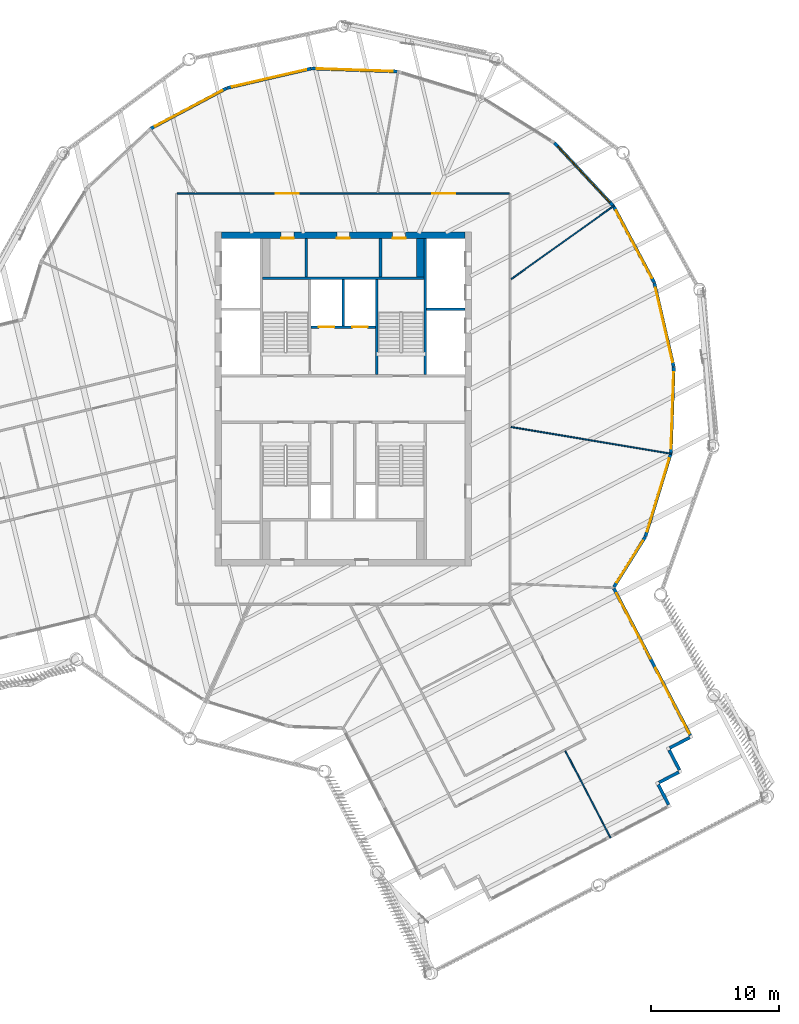
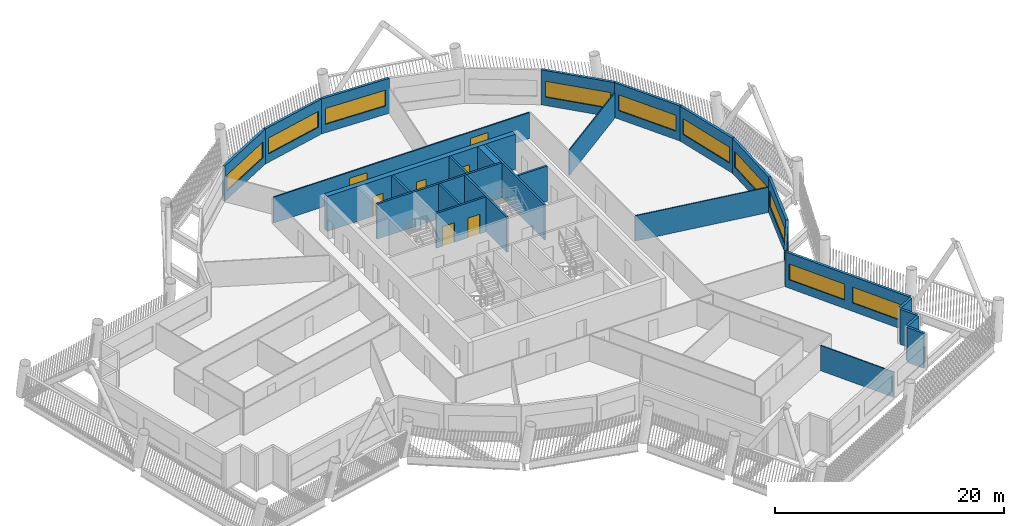
# One storey, part 6 of 22: 28 walls, 11 windows, 7 doors, 18 openings.
"""IFC4 building model written with IfcOpenShell, lengths in metres."""

from ifc_helpers import new_model, si_unit, direction, frame, frame_2d, origin, place, context, subcontext, project, spatial, rectangle, extrude, material, layer, layer_set, type_object, element, fill, save


model = new_model("IFC4")

# Units and contexts
model_context = context("Model", 3, precision=1e-05, world=origin(), true_north=direction((0.0, 1.0)))
body_context = subcontext(model_context, "Body", "Model", "MODEL_VIEW")
ifc_project = project(units=[si_unit("LENGTHUNIT", "METRE"), si_unit("AREAUNIT", "SQUARE_METRE"), si_unit("VOLUMEUNIT", "CUBIC_METRE"), si_unit("PLANEANGLEUNIT", "RADIAN"), si_unit("MASSUNIT", "GRAM", prefix="KILO")], contexts=[model_context])

# Site, building, storey
site_placement = place(None, origin())
site = spatial("IfcSite", under=ifc_project, at=site_placement, CompositionType="ELEMENT")
building_placement = place(site_placement, origin())
building = spatial("IfcBuilding", under=site, at=building_placement, Name="Tarsis Ring Headquarters", CompositionType="ELEMENT")
storey_placement = place(building_placement, frame((0.0, 0.0, 339.199951171875)))
storey = spatial("IfcBuildingStorey", under=building, at=storey_placement, Name="L80", CompositionType="ELEMENT", Elevation=339.199951171875)

# Walls
ifc_material_1 = material(Name="Blockwork", Category="masonry")
ifc_layer_1 = layer(ifc_material_1, 0.199951171875)
ifc_layer_set_1 = layer_set([ifc_layer_1], Name="Core blockwork wall 200")
wall_type_1 = type_object("IfcWallType", Name="Core blockwork wall 200", PredefinedType="PARTITIONING", material=ifc_layer_set_1)
for number, where, z_axis, x_axis, name in (
    (1, (-2.89990234375, 9.5, 0.0), (0.0, 0.0, 1.0), (0.0, 1.0, 0.0), "Core partition ND1"),
    (2, (2.89990234375, 9.5, 0.0), (0.0, 0.0, 1.0), (0.0, 1.0, 0.0), "Core partition ND3"),
):
    element("IfcWall", number, at=place(storey_placement, frame(where, z_axis=z_axis, x_axis=x_axis)), inside=storey, type_object=wall_type_1, Name=name, PredefinedType="PARTITIONING", context=body_context, shape_type="SweptSolid", body=[
        extrude(rectangle(XDim=3.0, YDim=0.199951171875, at=frame_2d((1.5, 0.0))), origin(), (0.0, 0.0, 1.0), 3.739990234375),
    ])

# Wall, openings, doors
ifc_material_2 = material(Name="Concrete C50/60", Category="concrete")
ifc_layer_2 = layer(ifc_material_2, 0.5)
ifc_layer_set_2 = layer_set([ifc_layer_2], Name="Core wall 500 C50/60")
wall_type_2 = type_object("IfcWallType", Name="Core wall 500 C50/60", PredefinedType="SHEAR", material=ifc_layer_set_2)
wall_1_placement = place(storey_placement, frame((-9.5, 12.75, 0.0), z_axis=(0.0, 0.0, 1.0), x_axis=(1.0, 0.0, 0.0)))
wall_1 = element("IfcWall", 3, at=wall_1_placement, inside=storey, type_object=wall_type_2, Name="Core wall ON", PredefinedType="SHEAR", context=body_context, shape_type="SweptSolid", body=[
    extrude(rectangle(XDim=19.0, YDim=0.5, at=frame_2d((9.5, 0.0))), origin(), (0.0, 0.0, 1.0), 3.739990234375),
])
opening_1_placement = place(wall_1_placement, frame((4.64990234375, 0.0, 0.0)))
opening_1 = element("IfcOpeningElement", 4, at=opening_1_placement, cuts=wall_1, Name="Opening L80-C14", PredefinedType="OPENING", context=body_context, shape_type="SweptSolid", body=[
    extrude(rectangle(XDim=1.0, YDim=2.10009765625, at=frame_2d((0.5, 1.050048828125))), frame((0.0, 0.260009765625, 0.0), z_axis=(0.0, -1.0, 0.0), x_axis=(1.0, 0.0, 0.0)), (0.0, 0.0, 1.0), 0.52001953125),
])
opening_2_placement = place(wall_1_placement, frame((9.0, 0.0, 0.0)))
opening_2 = element("IfcOpeningElement", 5, at=opening_2_placement, cuts=wall_1, Name="Opening L80-C15", PredefinedType="OPENING", context=body_context, shape_type="SweptSolid", body=[
    extrude(rectangle(XDim=1.0, YDim=2.10009765625, at=frame_2d((0.5, 1.050048828125))), frame((0.0, 0.260009765625, 0.0), z_axis=(0.0, -1.0, 0.0), x_axis=(1.0, 0.0, 0.0)), (0.0, 0.0, 1.0), 0.52001953125),
])
opening_3_placement = place(wall_1_placement, frame((13.35009765625, 0.0, 0.0)))
opening_3 = element("IfcOpeningElement", 6, at=opening_3_placement, cuts=wall_1, Name="Opening L80-C16", PredefinedType="OPENING", context=body_context, shape_type="SweptSolid", body=[
    extrude(rectangle(XDim=1.0, YDim=2.10009765625, at=frame_2d((0.5, 1.050048828125))), frame((0.0, 0.260009765625, 0.0), z_axis=(0.0, -1.0, 0.0), x_axis=(1.0, 0.0, 0.0)), (0.0, 0.0, 1.0), 0.52001953125),
])
ifc_material_3 = material(Name="Steel S355", Category="steel")
door_type_1 = type_object("IfcDoorType", Name="Core room door 1000x2100", OperationType="SINGLE_SWING_LEFT", PredefinedType="DOOR", material=ifc_material_3)
door_1_placement = place(opening_1_placement, origin())
door_1 = element("IfcDoor", 7, at=door_1_placement, inside=storey, type_object=door_type_1, Name="Core room door L80", OperationType="SINGLE_SWING_LEFT", OverallHeight=2.10009765625, OverallWidth=1.0, PredefinedType="DOOR", context=body_context, shape_type="SweptSolid", body=[
    extrude(rectangle(XDim=1.0, YDim=2.10009765625, at=frame_2d((0.5, 1.050048828125))), frame((0.0, -0.2001953125, 0.0), z_axis=(0.0, -1.0, 0.0), x_axis=(1.0, 0.0, 0.0)), (0.0, 0.0, 1.0), 0.050048828125),
])
fill(opening_1, door_1)
door_2_placement = place(opening_2_placement, origin())
door_2 = element("IfcDoor", 8, at=door_2_placement, inside=storey, type_object=door_type_1, Name="Core room door L80", OperationType="SINGLE_SWING_LEFT", OverallHeight=2.10009765625, OverallWidth=1.0, PredefinedType="DOOR", context=body_context, shape_type="SweptSolid", body=[
    extrude(rectangle(XDim=1.0, YDim=2.10009765625, at=frame_2d((0.5, 1.050048828125))), frame((0.0, -0.2001953125, 0.0), z_axis=(0.0, -1.0, 0.0), x_axis=(1.0, 0.0, 0.0)), (0.0, 0.0, 1.0), 0.050048828125),
])
fill(opening_2, door_2)
door_3_placement = place(opening_3_placement, origin())
door_3 = element("IfcDoor", 9, at=door_3_placement, inside=storey, type_object=door_type_1, Name="Core room door L80", OperationType="SINGLE_SWING_LEFT", OverallHeight=2.10009765625, OverallWidth=1.0, PredefinedType="DOOR", context=body_context, shape_type="SweptSolid", body=[
    extrude(rectangle(XDim=1.0, YDim=2.10009765625, at=frame_2d((0.5, 1.050048828125))), frame((0.0, -0.2001953125, 0.0), z_axis=(0.0, -1.0, 0.0), x_axis=(1.0, 0.0, 0.0)), (0.0, 0.0, 1.0), 0.050048828125),
])
fill(opening_3, door_3)

# Walls
ifc_material_4 = material(Name="Gypsum board on steel studs", Category="steel")
ifc_layer_3 = layer(ifc_material_4, 0.10009765625)
ifc_layer_set_3 = layer_set([ifc_layer_3], Name="FL partition 100 unrated")
wall_type_3 = type_object("IfcWallType", Name="FL partition 100 unrated", PredefinedType="PARTITIONING", material=ifc_layer_set_3)
wall_2_placement = place(storey_placement, frame((13.069091796875, -2.182373046875, 0.0), z_axis=(0.0, 0.0, 1.0), x_axis=(0.986343992205, -0.164698297022, 0.0)))
element("IfcWall", 10, at=wall_2_placement, inside=storey, type_object=wall_type_3, Name="Partition PW3", PredefinedType="PARTITIONING", context=body_context, shape_type="SweptSolid", body=[
    extrude(rectangle(XDim=12.69775390625, YDim=0.10009765625, at=frame_2d((6.348876953125, 0.0))), origin(), (0.0, 0.0, 1.0), 2.699951171875),
])
wall_3_placement = place(storey_placement, frame((13.081298828125, 9.337890625, 0.0), z_axis=(0.0, 0.0, 1.0), x_axis=(0.813922178326, 0.580973913037, 0.0)))
element("IfcWall", 11, at=wall_3_placement, inside=storey, type_object=wall_type_3, Name="Partition PW3", PredefinedType="PARTITIONING", context=body_context, shape_type="SweptSolid", body=[
    extrude(rectangle(XDim=9.875732421875, YDim=0.10009765625, at=frame_2d((4.93798828125, 0.0))), origin(), (0.0, 0.0, 1.0), 2.699951171875),
])
wall_4_placement = place(storey_placement, frame((17.297119140625, -27.42041015625, 0.0), z_axis=(0.0, 0.0, 1.0), x_axis=(0.462055911662, -0.886850796075, 0.0)))
element("IfcWall", 12, at=wall_4_placement, inside=storey, type_object=wall_type_3, Name="Partition PW3", PredefinedType="PARTITIONING", context=body_context, shape_type="SweptSolid", body=[
    extrude(rectangle(XDim=7.639892578125, YDim=0.10009765625, at=frame_2d((3.81982421875, 0.0))), origin(), (0.0, 0.0, 1.0), 2.699951171875),
])

# Wall, openings, doors
ifc_layer_4 = layer(ifc_material_4, 0.125)
ifc_layer_set_4 = layer_set([ifc_layer_4], Name="FL partition 125 EI 60 H2770")
wall_type_4 = type_object("IfcWallType", Name="FL partition 125 EI 60 H2770", PredefinedType="PARTITIONING", material=ifc_layer_set_4)
wall_5_placement = place(storey_placement, frame((-12.93994140625, 16.0, 0.0), z_axis=(0.0, 0.0, 1.0), x_axis=(1.0, 0.0, 0.0)))
wall_5 = element("IfcWall", 13, at=wall_5_placement, inside=storey, type_object=wall_type_4, Name="Partition PW1", PredefinedType="PARTITIONING", context=body_context, shape_type="SweptSolid", body=[
    extrude(rectangle(XDim=25.8798828125, YDim=0.125, at=frame_2d((12.93994140625, 0.0))), origin(), (0.0, 0.0, 1.0), 2.77001953125),
])
opening_4_placement = place(wall_5_placement, frame((7.665283203125, 0.0, 0.0)))
opening_4 = element("IfcOpeningElement", 14, at=opening_4_placement, cuts=wall_5, Name="Opening D80.05", PredefinedType="OPENING", context=body_context, shape_type="SweptSolid", body=[
    extrude(rectangle(XDim=1.800048828125, YDim=2.10009765625, at=frame_2d((0.89990234375, 1.050048828125))), frame((0.0, 0.072509765625, 0.0), z_axis=(0.0, -1.0, 0.0), x_axis=(1.0, 0.0, 0.0)), (0.0, 0.0, 1.0), 0.14501953125),
])
opening_5_placement = place(wall_5_placement, frame((19.8759765625, 0.0, 0.0)))
opening_5 = element("IfcOpeningElement", 15, at=opening_5_placement, cuts=wall_5, Name="Opening D80.06", PredefinedType="OPENING", context=body_context, shape_type="SweptSolid", body=[
    extrude(rectangle(XDim=1.800048828125, YDim=2.10009765625, at=frame_2d((0.89990234375, 1.050048828125))), frame((0.0, 0.072509765625, 0.0), z_axis=(0.0, -1.0, 0.0), x_axis=(1.0, 0.0, 0.0)), (0.0, 0.0, 1.0), 0.14501953125),
])
ifc_material_5 = material(Name="Fire-rated timber door leaf in steel frame", Category="steel")
door_type_2 = type_object("IfcDoorType", Name="FL door FD60-1800", OperationType="DOUBLE_DOOR_SINGLE_SWING", PredefinedType="DOOR", material=ifc_material_5)
door_4_placement = place(opening_4_placement, origin())
door_4 = element("IfcDoor", 16, at=door_4_placement, inside=storey, type_object=door_type_2, Name="Door D80.05", OperationType="DOUBLE_DOOR_SINGLE_SWING", OverallHeight=2.10009765625, OverallWidth=1.800048828125, PredefinedType="DOOR", context=body_context, shape_type="SweptSolid", body=[
    extrude(rectangle(XDim=1.800048828125, YDim=2.10009765625, at=frame_2d((0.89990234375, 1.050048828125))), frame((0.0, 0.02490234375, 0.0), z_axis=(0.0, -1.0, 0.0), x_axis=(1.0, 0.0, 0.0)), (0.0, 0.0, 1.0), 0.050048828125),
])
fill(opening_4, door_4)
door_5_placement = place(opening_5_placement, origin())
door_5 = element("IfcDoor", 17, at=door_5_placement, inside=storey, type_object=door_type_2, Name="Door D80.06", OperationType="DOUBLE_DOOR_SINGLE_SWING", OverallHeight=2.10009765625, OverallWidth=1.800048828125, PredefinedType="DOOR", context=body_context, shape_type="SweptSolid", body=[
    extrude(rectangle(XDim=1.800048828125, YDim=2.10009765625, at=frame_2d((0.89990234375, 1.050048828125))), frame((0.0, 0.02490234375, 0.0), z_axis=(0.0, -1.0, 0.0), x_axis=(1.0, 0.0, 0.0)), (0.0, 0.0, 1.0), 0.050048828125),
])
fill(opening_5, door_5)

# Walls
ifc_material_6 = material(Name="Terracotta clad insulated panel wall", Category="masonry")
ifc_layer_5 = layer(ifc_material_6, 0.25)
ifc_layer_set_5 = layer_set([ifc_layer_5], Name="Facade wall terracotta panel 250")
wall_type_5 = type_object("IfcWallType", Name="Facade wall terracotta panel 250", PredefinedType="STANDARD", material=ifc_layer_set_5)
for number, where, z_axis, x_axis, name in (
    (18, (25.350830078125, -31.613525390625, 0.0), (0.0, 0.0, 1.0), (-0.46205101299, 0.886853348302, 0.0), "External wall L80-12"),
    (19, (24.59521484375, -29.89306640625, 0.0), (0.0, 0.0, 1.0), (0.886853348302, 0.46205101299, 0.0), "External wall L80-13"),
    (20, (26.200439453125, -28.915771484375, 0.0), (0.0, 0.0, 1.0), (-0.46205101299, 0.886853348302, 0.0), "External wall L80-14"),
    (21, (25.44482421875, -27.195068359375, 0.0), (0.0, 0.0, 1.0), (0.886853348302, 0.46205101299, 0.0), "External wall L80-15"),
):
    element("IfcWall", number, at=place(storey_placement, frame(where, z_axis=z_axis, x_axis=x_axis)), inside=storey, type_object=wall_type_5, Name=name, PredefinedType="STANDARD", context=body_context, shape_type="SweptSolid", body=[
        extrude(rectangle(XDim=1.75, YDim=0.25, at=frame_2d((0.875, 0.0))), origin(), (0.0, 0.0, 1.0), 3.739990234375),
    ])

# Wall, openings, windows
wall_6_placement = place(storey_placement, frame((27.0498046875, -26.218017578125, 0.0), z_axis=(0.0, 0.0, 1.0), x_axis=(-0.462040786158, 0.886858676412, 0.0)))
wall_6 = element("IfcWall", 22, at=wall_6_placement, inside=storey, type_object=wall_type_5, Name="External wall L80-16", PredefinedType="STANDARD", context=body_context, shape_type="SweptSolid", body=[
    extrude(rectangle(XDim=12.9013671875, YDim=0.25, at=frame_2d((6.45068359375, 0.0))), origin(), (0.0, 0.0, 1.0), 3.739990234375),
])
opening_6_placement = place(wall_6_placement, frame((0.162841796875, 0.0, 0.89990234375)))
opening_6 = element("IfcOpeningElement", 23, at=opening_6_placement, cuts=wall_6, Name="Opening WN06", PredefinedType="OPENING", context=body_context, shape_type="SweptSolid", body=[
    extrude(rectangle(XDim=5.75, YDim=1.699951171875, at=frame_2d((2.875, 0.85009765625))), frame((0.0, 0.135009765625, 0.0), z_axis=(0.0, -1.0, 0.0), x_axis=(1.0, 0.0, 0.0)), (0.0, 0.0, 1.0), 0.27001953125),
])
opening_7_placement = place(wall_6_placement, frame((6.738525390625, 0.0, 0.89990234375)))
opening_7 = element("IfcOpeningElement", 24, at=opening_7_placement, cuts=wall_6, Name="Opening WN06", PredefinedType="OPENING", context=body_context, shape_type="SweptSolid", body=[
    extrude(rectangle(XDim=5.75, YDim=1.699951171875, at=frame_2d((2.875, 0.85009765625))), frame((0.0, 0.135009765625, 0.0), z_axis=(0.0, -1.0, 0.0), x_axis=(1.0, 0.0, 0.0)), (0.0, 0.0, 1.0), 0.27001953125),
])
ifc_material_7 = material(Name="Aluminium framed double glazing", Category="aluminium")
window_type_1 = type_object("IfcWindowType", Name="Facade window 5750 x 1700", PartitioningType="SINGLE_PANEL", PredefinedType="WINDOW", material=ifc_material_7)
window_1_placement = place(opening_6_placement, origin())
window_1 = element("IfcWindow", 25, at=window_1_placement, inside=storey, type_object=window_type_1, Name="Window L80-16.1", OverallHeight=1.699951171875, OverallWidth=5.75, PartitioningType="SINGLE_PANEL", PredefinedType="WINDOW", context=body_context, shape_type="SweptSolid", body=[
    extrude(rectangle(XDim=5.75, YDim=1.699951171875, at=frame_2d((2.875, 0.85009765625))), frame((0.0, 0.030029296875, 0.0), z_axis=(0.0, -1.0, 0.0), x_axis=(1.0, 0.0, 0.0)), (0.0, 0.0, 1.0), 0.06005859375),
])
fill(opening_6, window_1)
window_2_placement = place(opening_7_placement, origin())
window_2 = element("IfcWindow", 26, at=window_2_placement, inside=storey, type_object=window_type_1, Name="Window L80-16.2", OverallHeight=1.699951171875, OverallWidth=5.75, PartitioningType="SINGLE_PANEL", PredefinedType="WINDOW", context=body_context, shape_type="SweptSolid", body=[
    extrude(rectangle(XDim=5.75, YDim=1.699951171875, at=frame_2d((2.875, 0.85009765625))), frame((0.0, 0.030029296875, 0.0), z_axis=(0.0, -1.0, 0.0), x_axis=(1.0, 0.0, 0.0)), (0.0, 0.0, 1.0), 0.06005859375),
])
fill(opening_7, window_2)

# Wall, opening, window
wall_7_placement = place(storey_placement, frame((21.093505859375, -14.65234375, 0.0), z_axis=(0.0, 0.0, 1.0), x_axis=(0.529661474266, 0.848209126736, 0.0)))
wall_7 = element("IfcWall", 27, at=wall_7_placement, inside=storey, type_object=wall_type_5, Name="External wall L80-17", PredefinedType="STANDARD", context=body_context, shape_type="SweptSolid", body=[
    extrude(rectangle(XDim=4.61767578125, YDim=0.25, at=frame_2d((2.308837890625, 0.0))), origin(), (0.0, 0.0, 1.0), 3.739990234375),
])
opening_8_placement = place(wall_7_placement, frame((0.400390625, 0.0, 0.89990234375)))
opening_8 = element("IfcOpeningElement", 28, at=opening_8_placement, cuts=wall_7, Name="Opening WN02", PredefinedType="OPENING", context=body_context, shape_type="SweptSolid", body=[
    extrude(rectangle(XDim=3.85009765625, YDim=1.699951171875, at=frame_2d((1.925048828125, 0.85009765625))), frame((0.0, 0.135009765625, 0.0), z_axis=(0.0, -1.0, 0.0), x_axis=(1.0, 0.0, 0.0)), (0.0, 0.0, 1.0), 0.27001953125),
])
window_type_2 = type_object("IfcWindowType", Name="Facade window 3850 x 1700", PartitioningType="SINGLE_PANEL", PredefinedType="WINDOW", material=ifc_material_7)
window_3_placement = place(opening_8_placement, origin())
window_3 = element("IfcWindow", 29, at=window_3_placement, inside=storey, type_object=window_type_2, Name="Window L80-17.1", OverallHeight=1.699951171875, OverallWidth=3.85009765625, PartitioningType="SINGLE_PANEL", PredefinedType="WINDOW", context=body_context, shape_type="SweptSolid", body=[
    extrude(rectangle(XDim=3.85009765625, YDim=1.699951171875, at=frame_2d((1.925048828125, 0.85009765625))), frame((0.0, 0.030029296875, 0.0), z_axis=(0.0, -1.0, 0.0), x_axis=(1.0, 0.0, 0.0)), (0.0, 0.0, 1.0), 0.06005859375),
])
fill(opening_8, window_3)

wall_8_placement = place(storey_placement, frame((23.552734375, -10.705810546875, 0.0), z_axis=(0.0, 0.0, 1.0), x_axis=(0.292066271155, 0.956398083046, 0.0)))
wall_8 = element("IfcWall", 30, at=wall_8_placement, inside=storey, type_object=wall_type_5, Name="External wall L80-18", PredefinedType="STANDARD", context=body_context, shape_type="SweptSolid", body=[
    extrude(rectangle(XDim=6.721435546875, YDim=0.25, at=frame_2d((3.36083984375, 0.0))), origin(), (0.0, 0.0, 1.0), 3.739990234375),
])
opening_9_placement = place(wall_8_placement, frame((0.3857421875, 0.0, 0.89990234375)))
opening_9 = element("IfcOpeningElement", 31, at=opening_9_placement, cuts=wall_8, Name="Opening WN07", PredefinedType="OPENING", context=body_context, shape_type="SweptSolid", body=[
    extrude(rectangle(XDim=5.949951171875, YDim=1.699951171875, at=frame_2d((2.97509765625, 0.85009765625))), frame((0.0, 0.135009765625, 0.0), z_axis=(0.0, -1.0, 0.0), x_axis=(1.0, 0.0, 0.0)), (0.0, 0.0, 1.0), 0.27001953125),
])
window_type_3 = type_object("IfcWindowType", Name="Facade window 5950 x 1700", PartitioningType="SINGLE_PANEL", PredefinedType="WINDOW", material=ifc_material_7)
window_4_placement = place(opening_9_placement, origin())
window_4 = element("IfcWindow", 32, at=window_4_placement, inside=storey, type_object=window_type_3, Name="Window L80-18.1", OverallHeight=1.699951171875, OverallWidth=5.949951171875, PartitioningType="SINGLE_PANEL", PredefinedType="WINDOW", context=body_context, shape_type="SweptSolid", body=[
    extrude(rectangle(XDim=5.949951171875, YDim=1.699951171875, at=frame_2d((2.97509765625, 0.85009765625))), frame((0.0, 0.030029296875, 0.0), z_axis=(0.0, -1.0, 0.0), x_axis=(1.0, 0.0, 0.0)), (0.0, 0.0, 1.0), 0.06005859375),
])
fill(opening_9, window_4)

wall_9_placement = place(storey_placement, frame((25.521240234375, -4.2451171875, 0.0), z_axis=(0.0, 0.0, 1.0), x_axis=(0.034542339698, 0.99940323532, 0.0)))
wall_9 = element("IfcWall", 33, at=wall_9_placement, inside=storey, type_object=wall_type_5, Name="External wall L80-19", PredefinedType="STANDARD", context=body_context, shape_type="SweptSolid", body=[
    extrude(rectangle(XDim=6.721435546875, YDim=0.25, at=frame_2d((3.36083984375, 0.0))), origin(), (0.0, 0.0, 1.0), 3.739990234375),
])
opening_10_placement = place(wall_9_placement, frame((0.3857421875, 0.0, 0.89990234375)))
opening_10 = element("IfcOpeningElement", 34, at=opening_10_placement, cuts=wall_9, Name="Opening WN07", PredefinedType="OPENING", context=body_context, shape_type="SweptSolid", body=[
    extrude(rectangle(XDim=5.949951171875, YDim=1.699951171875, at=frame_2d((2.97509765625, 0.85009765625))), frame((0.0, 0.135009765625, 0.0), z_axis=(0.0, -1.0, 0.0), x_axis=(1.0, 0.0, 0.0)), (0.0, 0.0, 1.0), 0.27001953125),
])
window_5_placement = place(opening_10_placement, origin())
window_5 = element("IfcWindow", 35, at=window_5_placement, inside=storey, type_object=window_type_3, Name="Window L80-19.1", OverallHeight=1.699951171875, OverallWidth=5.949951171875, PartitioningType="SINGLE_PANEL", PredefinedType="WINDOW", context=body_context, shape_type="SweptSolid", body=[
    extrude(rectangle(XDim=5.949951171875, YDim=1.699951171875, at=frame_2d((2.97509765625, 0.85009765625))), frame((0.0, 0.030029296875, 0.0), z_axis=(0.0, -1.0, 0.0), x_axis=(1.0, 0.0, 0.0)), (0.0, 0.0, 1.0), 0.06005859375),
])
fill(opening_10, window_5)

wall_10_placement = place(storey_placement, frame((25.750244140625, 2.5048828125, 0.0), z_axis=(0.0, 0.0, 1.0), x_axis=(-0.225302483759, 0.974288864153, 0.0)))
wall_10 = element("IfcWall", 36, at=wall_10_placement, inside=storey, type_object=wall_type_5, Name="External wall L80-20", PredefinedType="STANDARD", context=body_context, shape_type="SweptSolid", body=[
    extrude(rectangle(XDim=6.7216796875, YDim=0.25, at=frame_2d((3.36083984375, 0.0))), origin(), (0.0, 0.0, 1.0), 3.739990234375),
])
opening_11_placement = place(wall_10_placement, frame((0.3857421875, 0.0, 0.89990234375)))
opening_11 = element("IfcOpeningElement", 37, at=opening_11_placement, cuts=wall_10, Name="Opening WN07", PredefinedType="OPENING", context=body_context, shape_type="SweptSolid", body=[
    extrude(rectangle(XDim=5.949951171875, YDim=1.699951171875, at=frame_2d((2.97509765625, 0.85009765625))), frame((0.0, 0.135009765625, 0.0), z_axis=(0.0, -1.0, 0.0), x_axis=(1.0, 0.0, 0.0)), (0.0, 0.0, 1.0), 0.27001953125),
])
window_6_placement = place(opening_11_placement, origin())
window_6 = element("IfcWindow", 38, at=window_6_placement, inside=storey, type_object=window_type_3, Name="Window L80-20.1", OverallHeight=1.699951171875, OverallWidth=5.949951171875, PartitioningType="SINGLE_PANEL", PredefinedType="WINDOW", context=body_context, shape_type="SweptSolid", body=[
    extrude(rectangle(XDim=5.949951171875, YDim=1.699951171875, at=frame_2d((2.97509765625, 0.85009765625))), frame((0.0, 0.030029296875, 0.0), z_axis=(0.0, -1.0, 0.0), x_axis=(1.0, 0.0, 0.0)), (0.0, 0.0, 1.0), 0.06005859375),
])
fill(opening_11, window_6)

wall_11_placement = place(storey_placement, frame((24.224365234375, 9.084228515625, 0.0), z_axis=(0.0, 0.0, 1.0), x_axis=(-0.469764166283, 0.882791950618, 0.0)))
wall_11 = element("IfcWall", 39, at=wall_11_placement, inside=storey, type_object=wall_type_5, Name="External wall L80-21", PredefinedType="STANDARD", context=body_context, shape_type="SweptSolid", body=[
    extrude(rectangle(XDim=6.721435546875, YDim=0.25, at=frame_2d((3.36083984375, 0.0))), origin(), (0.0, 0.0, 1.0), 3.739990234375),
])
opening_12_placement = place(wall_11_placement, frame((0.3857421875, 0.0, 0.89990234375)))
opening_12 = element("IfcOpeningElement", 40, at=opening_12_placement, cuts=wall_11, Name="Opening WN07", PredefinedType="OPENING", context=body_context, shape_type="SweptSolid", body=[
    extrude(rectangle(XDim=5.949951171875, YDim=1.699951171875, at=frame_2d((2.97509765625, 0.85009765625))), frame((0.0, 0.135009765625, 0.0), z_axis=(0.0, -1.0, 0.0), x_axis=(1.0, 0.0, 0.0)), (0.0, 0.0, 1.0), 0.27001953125),
])
window_7_placement = place(opening_12_placement, origin())
window_7 = element("IfcWindow", 41, at=window_7_placement, inside=storey, type_object=window_type_3, Name="Window L80-21.1", OverallHeight=1.699951171875, OverallWidth=5.949951171875, PartitioningType="SINGLE_PANEL", PredefinedType="WINDOW", context=body_context, shape_type="SweptSolid", body=[
    extrude(rectangle(XDim=5.949951171875, YDim=1.699951171875, at=frame_2d((2.97509765625, 0.85009765625))), frame((0.0, 0.030029296875, 0.0), z_axis=(0.0, -1.0, 0.0), x_axis=(1.0, 0.0, 0.0)), (0.0, 0.0, 1.0), 0.06005859375),
])
fill(opening_12, window_7)

wall_12_placement = place(storey_placement, frame((21.0478515625, 15.04443359375, 0.0), z_axis=(0.0, 0.0, 1.0), x_axis=(-0.6822393039, 0.73112894363, 0.0)))
wall_12 = element("IfcWall", 42, at=wall_12_placement, inside=storey, type_object=wall_type_5, Name="External wall L80-22", PredefinedType="STANDARD", context=body_context, shape_type="SweptSolid", body=[
    extrude(rectangle(XDim=6.721435546875, YDim=0.25, at=frame_2d((3.36083984375, 0.0))), origin(), (0.0, 0.0, 1.0), 3.739990234375),
])
opening_13_placement = place(wall_12_placement, frame((0.3857421875, 0.0, 0.89990234375)))
opening_13 = element("IfcOpeningElement", 43, at=opening_13_placement, cuts=wall_12, Name="Opening WN07", PredefinedType="OPENING", context=body_context, shape_type="SweptSolid", body=[
    extrude(rectangle(XDim=5.949951171875, YDim=1.699951171875, at=frame_2d((2.97509765625, 0.85009765625))), frame((0.0, 0.135009765625, 0.0), z_axis=(0.0, -1.0, 0.0), x_axis=(1.0, 0.0, 0.0)), (0.0, 0.0, 1.0), 0.27001953125),
])
window_8_placement = place(opening_13_placement, origin())
window_8 = element("IfcWindow", 44, at=window_8_placement, inside=storey, type_object=window_type_3, Name="Window L80-22.1", OverallHeight=1.699951171875, OverallWidth=5.949951171875, PartitioningType="SINGLE_PANEL", PredefinedType="WINDOW", context=body_context, shape_type="SweptSolid", body=[
    extrude(rectangle(XDim=5.949951171875, YDim=1.699951171875, at=frame_2d((2.97509765625, 0.85009765625))), frame((0.0, 0.030029296875, 0.0), z_axis=(0.0, -1.0, 0.0), x_axis=(1.0, 0.0, 0.0)), (0.0, 0.0, 1.0), 0.06005859375),
])
fill(opening_13, window_8)

wall_13_placement = place(storey_placement, frame((4.2451171875, 25.521240234375, 0.0), z_axis=(0.0, 0.0, 1.0), x_axis=(-0.99940323532, 0.034542339698, 0.0)))
wall_13 = element("IfcWall", 45, at=wall_13_placement, inside=storey, type_object=wall_type_5, Name="External wall L80-25", PredefinedType="STANDARD", context=body_context, shape_type="SweptSolid", body=[
    extrude(rectangle(XDim=6.721435546875, YDim=0.25, at=frame_2d((3.36083984375, 0.0))), origin(), (0.0, 0.0, 1.0), 3.739990234375),
])
opening_14_placement = place(wall_13_placement, frame((0.3857421875, 0.0, 0.89990234375)))
opening_14 = element("IfcOpeningElement", 46, at=opening_14_placement, cuts=wall_13, Name="Opening WN07", PredefinedType="OPENING", context=body_context, shape_type="SweptSolid", body=[
    extrude(rectangle(XDim=5.949951171875, YDim=1.699951171875, at=frame_2d((2.97509765625, 0.85009765625))), frame((0.0, 0.135009765625, 0.0), z_axis=(0.0, -1.0, 0.0), x_axis=(1.0, 0.0, 0.0)), (0.0, 0.0, 1.0), 0.27001953125),
])
window_9_placement = place(opening_14_placement, origin())
window_9 = element("IfcWindow", 47, at=window_9_placement, inside=storey, type_object=window_type_3, Name="Window L80-25.1", OverallHeight=1.699951171875, OverallWidth=5.949951171875, PartitioningType="SINGLE_PANEL", PredefinedType="WINDOW", context=body_context, shape_type="SweptSolid", body=[
    extrude(rectangle(XDim=5.949951171875, YDim=1.699951171875, at=frame_2d((2.97509765625, 0.85009765625))), frame((0.0, 0.030029296875, 0.0), z_axis=(0.0, -1.0, 0.0), x_axis=(1.0, 0.0, 0.0)), (0.0, 0.0, 1.0), 0.06005859375),
])
fill(opening_14, window_9)

wall_14_placement = place(storey_placement, frame((-2.5048828125, 25.750244140625, 0.0), z_axis=(0.0, 0.0, 1.0), x_axis=(-0.974288864153, -0.225302483759, 0.0)))
wall_14 = element("IfcWall", 48, at=wall_14_placement, inside=storey, type_object=wall_type_5, Name="External wall L80-26", PredefinedType="STANDARD", context=body_context, shape_type="SweptSolid", body=[
    extrude(rectangle(XDim=6.7216796875, YDim=0.25, at=frame_2d((3.36083984375, 0.0))), origin(), (0.0, 0.0, 1.0), 3.739990234375),
])
opening_15_placement = place(wall_14_placement, frame((0.3857421875, 0.0, 0.89990234375)))
opening_15 = element("IfcOpeningElement", 49, at=opening_15_placement, cuts=wall_14, Name="Opening WN07", PredefinedType="OPENING", context=body_context, shape_type="SweptSolid", body=[
    extrude(rectangle(XDim=5.949951171875, YDim=1.699951171875, at=frame_2d((2.97509765625, 0.85009765625))), frame((0.0, 0.135009765625, 0.0), z_axis=(0.0, -1.0, 0.0), x_axis=(1.0, 0.0, 0.0)), (0.0, 0.0, 1.0), 0.27001953125),
])
window_10_placement = place(opening_15_placement, origin())
window_10 = element("IfcWindow", 50, at=window_10_placement, inside=storey, type_object=window_type_3, Name="Window L80-26.1", OverallHeight=1.699951171875, OverallWidth=5.949951171875, PartitioningType="SINGLE_PANEL", PredefinedType="WINDOW", context=body_context, shape_type="SweptSolid", body=[
    extrude(rectangle(XDim=5.949951171875, YDim=1.699951171875, at=frame_2d((2.97509765625, 0.85009765625))), frame((0.0, 0.030029296875, 0.0), z_axis=(0.0, -1.0, 0.0), x_axis=(1.0, 0.0, 0.0)), (0.0, 0.0, 1.0), 0.06005859375),
])
fill(opening_15, window_10)

wall_15_placement = place(storey_placement, frame((-9.084228515625, 24.224365234375, 0.0), z_axis=(0.0, 0.0, 1.0), x_axis=(-0.882791950618, -0.469764166283, 0.0)))
wall_15 = element("IfcWall", 51, at=wall_15_placement, inside=storey, type_object=wall_type_5, Name="External wall L80-27", PredefinedType="STANDARD", context=body_context, shape_type="SweptSolid", body=[
    extrude(rectangle(XDim=6.721435546875, YDim=0.25, at=frame_2d((3.36083984375, 0.0))), origin(), (0.0, 0.0, 1.0), 3.739990234375),
])
opening_16_placement = place(wall_15_placement, frame((0.3857421875, 0.0, 0.89990234375)))
opening_16 = element("IfcOpeningElement", 52, at=opening_16_placement, cuts=wall_15, Name="Opening WN07", PredefinedType="OPENING", context=body_context, shape_type="SweptSolid", body=[
    extrude(rectangle(XDim=5.949951171875, YDim=1.699951171875, at=frame_2d((2.97509765625, 0.85009765625))), frame((0.0, 0.135009765625, 0.0), z_axis=(0.0, -1.0, 0.0), x_axis=(1.0, 0.0, 0.0)), (0.0, 0.0, 1.0), 0.27001953125),
])
window_11_placement = place(opening_16_placement, origin())
window_11 = element("IfcWindow", 53, at=window_11_placement, inside=storey, type_object=window_type_3, Name="Window L80-27.1", OverallHeight=1.699951171875, OverallWidth=5.949951171875, PartitioningType="SINGLE_PANEL", PredefinedType="WINDOW", context=body_context, shape_type="SweptSolid", body=[
    extrude(rectangle(XDim=5.949951171875, YDim=1.699951171875, at=frame_2d((2.97509765625, 0.85009765625))), frame((0.0, 0.030029296875, 0.0), z_axis=(0.0, -1.0, 0.0), x_axis=(1.0, 0.0, 0.0)), (0.0, 0.0, 1.0), 0.06005859375),
])
fill(opening_16, window_11)

# Walls
ifc_material_8 = material(Name="Concrete C32/40", Category="concrete")
ifc_layer_6 = layer(ifc_material_8, 0.60009765625)
ifc_layer_set_6 = layer_set([ifc_layer_6], Name="Shaft end wall 600 C32/40")
wall_type_6 = type_object("IfcWallType", Name="Shaft end wall 600 C32/40", PredefinedType="SOLIDWALL", material=ifc_layer_set_6)
wall_16_placement = place(storey_placement, frame((6.0, 9.5, 0.0), z_axis=(0.0, 0.0, 1.0), x_axis=(0.0, 1.0, 0.0)))
element("IfcWall", 54, at=wall_16_placement, inside=storey, type_object=wall_type_6, Name="Core shaft wall NNE2", PredefinedType="SOLIDWALL", context=body_context, shape_type="SweptSolid", body=[
    extrude(rectangle(XDim=3.0, YDim=0.60009765625, at=frame_2d((1.5, 0.0))), origin(), (0.0, 0.0, 1.0), 3.739990234375),
])
ifc_layer_7 = layer(ifc_material_8, 0.199951171875)
ifc_layer_set_7 = layer_set([ifc_layer_7], Name="Shaft wall 200 C32/40")
wall_type_7 = type_object("IfcWallType", Name="Shaft wall 200 C32/40", PredefinedType="SOLIDWALL", material=ifc_layer_set_7)
wall_17_placement = place(storey_placement, frame((6.39990234375, 1.89990234375, 0.0), z_axis=(0.0, 0.0, 1.0), x_axis=(0.0, 1.0, 0.0)))
element("IfcWall", 55, at=wall_17_placement, inside=storey, type_object=wall_type_7, Name="Core shaft wall EB2", PredefinedType="SOLIDWALL", context=body_context, shape_type="SweptSolid", body=[
    extrude(rectangle(XDim=10.60009765625, YDim=0.199951171875, at=frame_2d((5.300048828125, 0.0))), origin(), (0.0, 0.0, 1.0), 3.739990234375),
])
wall_18_placement = place(storey_placement, frame((-6.300048828125, 9.39990234375, 0.0), z_axis=(0.0, 0.0, 1.0), x_axis=(1.0, 0.0, 0.0)))
element("IfcWall", 56, at=wall_18_placement, inside=storey, type_object=wall_type_7, Name="Core shaft wall NB", PredefinedType="SOLIDWALL", context=body_context, shape_type="SweptSolid", body=[
    extrude(rectangle(XDim=12.60009765625, YDim=0.199951171875, at=frame_2d((6.300048828125, 0.0))), origin(), (0.0, 0.0, 1.0), 3.739990234375),
])
wall_19_placement = place(storey_placement, frame((2.60009765625, 1.89990234375, 0.0), z_axis=(0.0, 0.0, 1.0), x_axis=(0.0, 1.0, 0.0)))
element("IfcWall", 57, at=wall_19_placement, inside=storey, type_object=wall_type_7, Name="Core shaft wall SW2", PredefinedType="SOLIDWALL", context=body_context, shape_type="SweptSolid", body=[
    extrude(rectangle(XDim=7.400146484375, YDim=0.199951171875, at=frame_2d((3.7001953125, 0.0))), origin(), (0.0, 0.0, 1.0), 3.739990234375),
])

# Wall, openings, doors
wall_20_placement = place(storey_placement, frame((-2.5, 5.60009765625, 0.0), z_axis=(0.0, 0.0, 1.0), x_axis=(1.0, 0.0, 0.0)))
wall_20 = element("IfcWall", 58, at=wall_20_placement, inside=storey, type_object=wall_type_7, Name="Core shaft wall FFN", PredefinedType="SOLIDWALL", context=body_context, shape_type="SweptSolid", body=[
    extrude(rectangle(XDim=5.0, YDim=0.199951171875, at=frame_2d((2.5, 0.0))), origin(), (0.0, 0.0, 1.0), 3.739990234375),
])
opening_17_placement = place(wall_20_placement, frame((0.60009765625, 0.0, 0.0)))
opening_17 = element("IfcOpeningElement", 59, at=opening_17_placement, cuts=wall_20, Name="Opening LDF-1", PredefinedType="OPENING", context=body_context, shape_type="SweptSolid", body=[
    extrude(rectangle(XDim=1.199951171875, YDim=2.10009765625, at=frame_2d((0.60009765625, 1.050048828125))), frame((0.0, 0.10986328125, 0.0), z_axis=(0.0, -1.0, 0.0), x_axis=(1.0, 0.0, 0.0)), (0.0, 0.0, 1.0), 0.219970703125),
])
opening_18_placement = place(wall_20_placement, frame((3.199951171875, 0.0, 0.0)))
opening_18 = element("IfcOpeningElement", 60, at=opening_18_placement, cuts=wall_20, Name="Opening LDF-2", PredefinedType="OPENING", context=body_context, shape_type="SweptSolid", body=[
    extrude(rectangle(XDim=1.199951171875, YDim=2.10009765625, at=frame_2d((0.60009765625, 1.050048828125))), frame((0.0, 0.10986328125, 0.0), z_axis=(0.0, -1.0, 0.0), x_axis=(1.0, 0.0, 0.0)), (0.0, 0.0, 1.0), 0.219970703125),
])
door_type_3 = type_object("IfcDoorType", Name="Firefighting landing door 1200x2100", OperationType="SLIDING_TO_LEFT", PredefinedType="DOOR", material=ifc_material_3)
door_6_placement = place(opening_17_placement, origin())
door_6 = element("IfcDoor", 61, at=door_6_placement, inside=storey, type_object=door_type_3, Name="Landing door FF1 L80", OperationType="SLIDING_TO_LEFT", OverallHeight=2.10009765625, OverallWidth=1.199951171875, PredefinedType="DOOR", context=body_context, shape_type="SweptSolid", body=[
    extrude(rectangle(XDim=1.199951171875, YDim=2.10009765625, at=frame_2d((0.60009765625, 1.050048828125))), frame((0.0, 0.02490234375, 0.0), z_axis=(0.0, -1.0, 0.0), x_axis=(1.0, 0.0, 0.0)), (0.0, 0.0, 1.0), 0.050048828125),
])
fill(opening_17, door_6)
door_7_placement = place(opening_18_placement, origin())
door_7 = element("IfcDoor", 62, at=door_7_placement, inside=storey, type_object=door_type_3, Name="Landing door FF2 L80", OperationType="SLIDING_TO_LEFT", OverallHeight=2.10009765625, OverallWidth=1.199951171875, PredefinedType="DOOR", context=body_context, shape_type="SweptSolid", body=[
    extrude(rectangle(XDim=1.199951171875, YDim=2.10009765625, at=frame_2d((0.60009765625, 1.050048828125))), frame((0.0, 0.02490234375, 0.0), z_axis=(0.0, -1.0, 0.0), x_axis=(1.0, 0.0, 0.0)), (0.0, 0.0, 1.0), 0.050048828125),
])
fill(opening_18, door_7)

# Walls
wall_21_placement = place(storey_placement, frame((0.0, 5.699951171875, 0.0), z_axis=(0.0, 0.0, 1.0), x_axis=(0.0, 1.0, 0.0)))
element("IfcWall", 63, at=wall_21_placement, inside=storey, type_object=wall_type_7, Name="Core shaft wall FFD", PredefinedType="SOLIDWALL", context=body_context, shape_type="SweptSolid", body=[
    extrude(rectangle(XDim=3.60009765625, YDim=0.199951171875, at=frame_2d((1.800048828125, 0.0))), origin(), (0.0, 0.0, 1.0), 3.739990234375),
])
wall_22_placement = place(storey_placement, frame((6.5, 7.0, 0.0), z_axis=(0.0, 0.0, 1.0), x_axis=(1.0, 0.0, 0.0)))
element("IfcWall", 64, at=wall_22_placement, inside=storey, type_object=wall_type_7, Name="Core shaft wall ED6", PredefinedType="SOLIDWALL", context=body_context, shape_type="SweptSolid", body=[
    extrude(rectangle(XDim=3.0, YDim=0.199951171875, at=frame_2d((1.5, 0.0))), origin(), (0.0, 0.0, 1.0), 3.739990234375),
])

save(model, "model.ifc")
